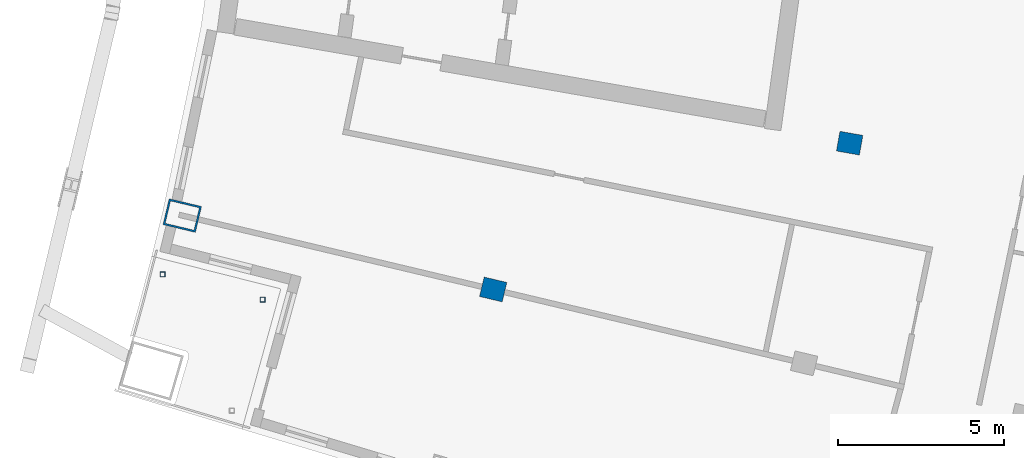
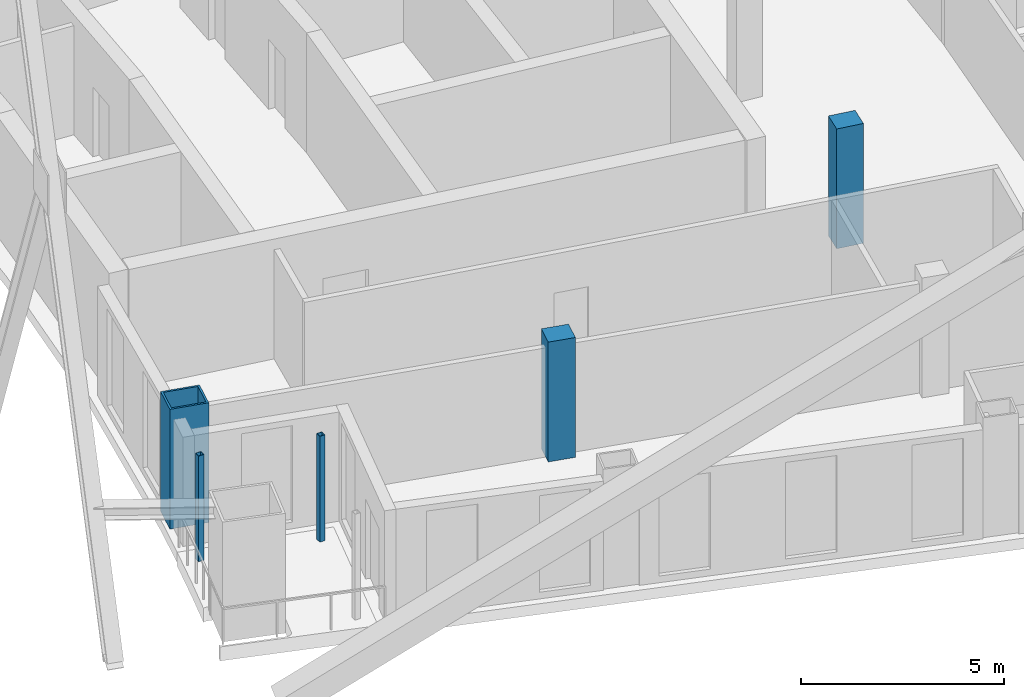
# One storey, part 3 of 21: 5 columns.
"""IFC4 building model written with IfcOpenShell, lengths in metres."""

from ifc_helpers import new_model, si_unit, direction, frame, origin, origin_2d, place, context, subcontext, project, spatial, rectangle, hollow_rectangle, extrude, material, material_profile, profile_set, type_object, element, save


model = new_model("IFC4")

# Units and contexts
model_context = context("Model", 3, precision=1e-05, world=origin(), true_north=direction((0.0, 1.0)))
body_context = subcontext(model_context, "Body", "Model", "MODEL_VIEW")
ifc_project = project(units=[si_unit("LENGTHUNIT", "METRE"), si_unit("AREAUNIT", "SQUARE_METRE"), si_unit("VOLUMEUNIT", "CUBIC_METRE"), si_unit("PLANEANGLEUNIT", "RADIAN"), si_unit("MASSUNIT", "GRAM", prefix="KILO")], contexts=[model_context])

# Site, building, storey
site_placement = place(None, origin())
site = spatial("IfcSite", under=ifc_project, at=site_placement, CompositionType="ELEMENT")
building_placement = place(site_placement, origin())
building = spatial("IfcBuilding", under=site, at=building_placement, Name="Alderwake Tower", CompositionType="ELEMENT")
storey_placement = place(building_placement, frame((0.0, 0.0, 267.199951171875)))
storey = spatial("IfcBuildingStorey", under=building, at=storey_placement, Name="L66", CompositionType="ELEMENT", Elevation=267.199951171875)

# Columns
ifc_material_1 = material(Name="Concrete C70/85", Category="concrete")
ifc_material_profile_1 = material_profile(ifc_material_1, rectangle(XDim=0.60009765625, YDim=0.699951171875, at=origin_2d()), Name="RC 700X600")
ifc_profile_set_1 = profile_set([ifc_material_profile_1], Name="Concrete C70/85")
column_type_1 = type_object("IfcColumnType", Name="Interior column Z5", PredefinedType="COLUMN", material=ifc_profile_set_1)
for number, where, z_axis, x_axis, name in (
    (1, (23.322021484375, 36.444091796875, 0.0), (0.0, 0.0, 1.0), (0.231221547198, 0.972901123502, 0.0), "Column R03-C1"),
    (2, (34.03125, 40.83837890625, 0.0), (0.0, 0.0, 1.0), (0.174108800747, 0.984726421654, 0.0), "Column R04-C2"),
):
    element("IfcColumn", number, at=place(storey_placement, frame(where, z_axis=z_axis, x_axis=x_axis)), inside=storey, type_object=column_type_1, Name=name, PredefinedType="COLUMN", context=body_context, shape_type="SweptSolid", body=[
        extrude(rectangle(XDim=0.60009765625, YDim=0.699951171875, at=origin_2d()), origin(), (0.0, 0.0, 1.0), 3.60009765625),
    ])
ifc_material_2 = material(Name="Steel ASTM A500 Grade C", Category="steel")
ifc_material_profile_2 = material_profile(ifc_material_2, hollow_rectangle(XDim=0.15234375, YDim=0.15234375, WallThickness=0.0087890625, at=origin_2d()), Name="HSS6X6X3/8")
ifc_profile_set_2 = profile_set([ifc_material_profile_2], Name="Steel ASTM A500 Grade C")
column_type_2 = type_object("IfcColumnType", Name="Light post HSS6X6X3/8", PredefinedType="COLUMN", material=ifc_profile_set_2)
for number, where, z_axis, x_axis, name in (
    (3, (13.3896484375, 36.896484375, 0.0), (0.0, 0.0, 1.0), (1.0, 0.0, 0.0), "Terrace post RS1"),
    (4, (16.39501953125, 36.135986328125, 0.0), (0.0, 0.0, 1.0), (1.0, 0.0, 0.0), "Terrace post RS3"),
):
    element("IfcColumn", number, at=place(storey_placement, frame(where, z_axis=z_axis, x_axis=x_axis)), inside=storey, type_object=column_type_2, Name=name, PredefinedType="COLUMN", context=body_context, shape_type="SweptSolid", body=[
        extrude(hollow_rectangle(XDim=0.15234375, YDim=0.15234375, WallThickness=0.0087890625, at=origin_2d()), origin(), (0.0, 0.0, 1.0), 3.179931640625),
    ])
ifc_material_3 = material(Name="Steel ASTM A572 Grade 50 concrete filled C70/85", Category="concrete")
ifc_material_profile_3 = material_profile(ifc_material_3, hollow_rectangle(XDim=0.800048828125, YDim=1.0, WallThickness=0.054931640625, at=origin_2d()), Name="BOX 1000X800X55")
ifc_profile_set_3 = profile_set([ifc_material_profile_3], Name="Steel ASTM A572 Grade 50 concrete filled C70/85")
column_type_3 = type_object("IfcColumnType", Name="Perimeter column Z5", PredefinedType="COLUMN", material=ifc_profile_set_3)
column_placement = place(storey_placement, frame((13.982177734375, 38.6640625, 0.0), z_axis=(0.0, 0.0, 1.0), x_axis=(0.231221547198, 0.972901123502, 0.0)))
element("IfcColumn", 5, at=column_placement, inside=storey, type_object=column_type_3, Name="Column R03-C0", PredefinedType="COLUMN", context=body_context, shape_type="SweptSolid", body=[
    extrude(hollow_rectangle(XDim=0.800048828125, YDim=1.0, WallThickness=0.054931640625, at=origin_2d()), origin(), (0.0, 0.0, 1.0), 3.60009765625),
])

save(model, "model.ifc")
